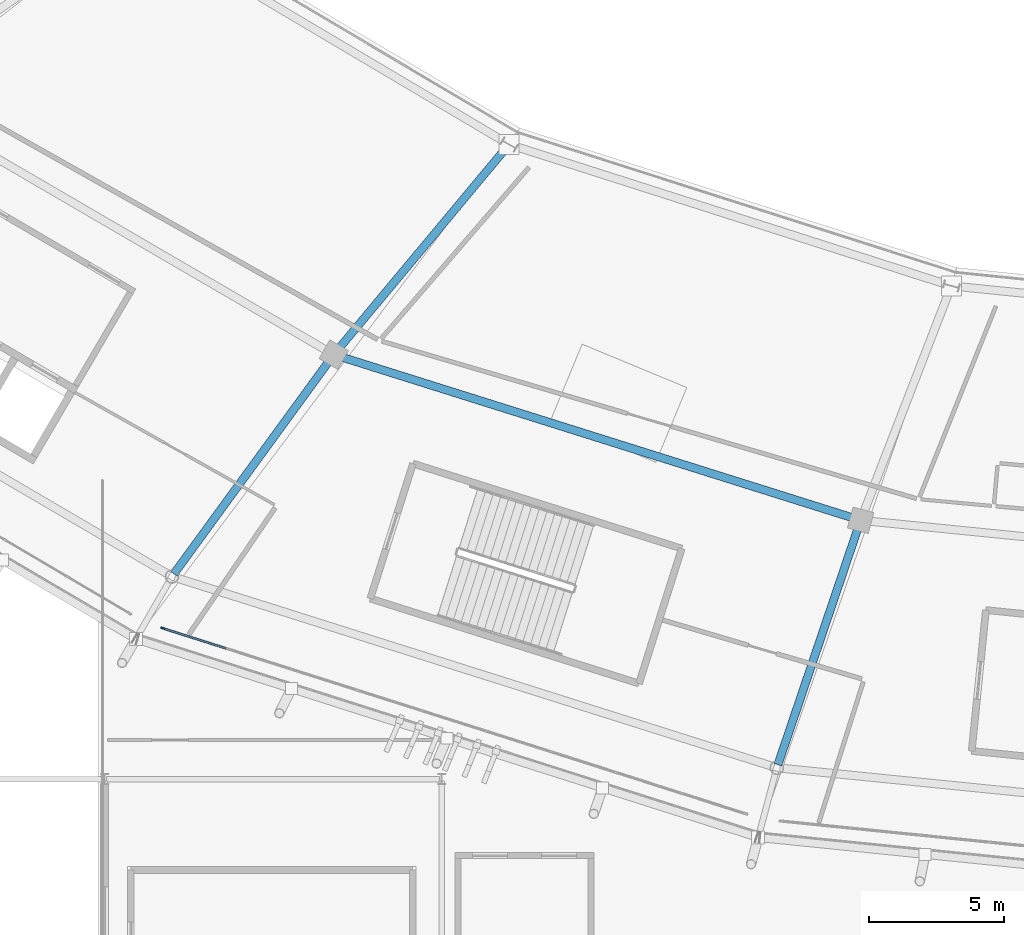
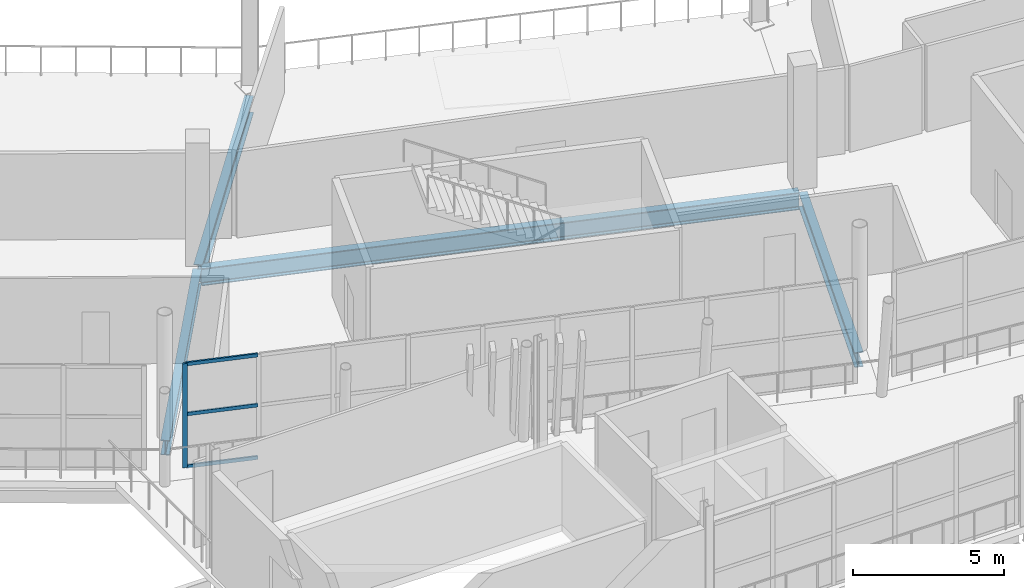
# One storey, part 34 of 179: 4 beams, 4 members, 1 element without a shape of its own.
"""IFC4 building model written with IfcOpenShell, lengths in metres."""

from ifc_helpers import new_model, si_unit, direction, frame, origin, origin_2d, place, context, subcontext, project, spatial, rectangle, i_section, extrude, material, material_profile, profile_set, type_object, element, aggregate, save


model = new_model("IFC4")

# Units and contexts
model_context = context("Model", 3, precision=1e-05, world=origin(), true_north=direction((0.0, 1.0)))
body_context = subcontext(model_context, "Body", "Model", "MODEL_VIEW")
ifc_project = project(units=[si_unit("LENGTHUNIT", "METRE"), si_unit("AREAUNIT", "SQUARE_METRE"), si_unit("VOLUMEUNIT", "CUBIC_METRE"), si_unit("PLANEANGLEUNIT", "RADIAN"), si_unit("MASSUNIT", "GRAM", prefix="KILO")], contexts=[model_context])

# Site, building, storey
site_placement = place(None, origin())
site = spatial("IfcSite", under=ifc_project, at=site_placement, CompositionType="ELEMENT")
building_placement = place(site_placement, origin())
building = spatial("IfcBuilding", under=site, at=building_placement, Name="Zlatoyarsky Gate Stadium", CompositionType="ELEMENT")
storey_placement = place(building_placement, frame((0.0, 0.0, 10.60009765625)))
storey = spatial("IfcBuildingStorey", under=building, at=storey_placement, Name="L02", CompositionType="ELEMENT", Elevation=10.60009765625)

# Curtain wall, members
ifc_material_1 = material(Name="Thermally broken anodised aluminium curtain wall", Category="aluminium")
curtain_wall_type = type_object("IfcCurtainWallType", Name="UNITISED HOSPITALITY GLAZING L02", PredefinedType="USERDEFINED", material=ifc_material_1)
curtain_wall_placement = place(storey_placement, origin())
curtain_wall = element("IfcCurtainWall", 1, at=curtain_wall_placement, inside=storey, type_object=curtain_wall_type, Name="Curtain wall CW-L02-16", ObjectType="UNITISED GLAZING", PredefinedType="USERDEFINED")
ifc_material_2 = material(Name="Anodised aluminium 6063-T6", Category="aluminium")
ifc_material_profile_1 = material_profile(ifc_material_2, rectangle(XDim=0.06494140625, YDim=0.159912109375, at=origin_2d()), Name="ALU 65X160")
ifc_profile_set_1 = profile_set([ifc_material_profile_1], Name="Anodised aluminium 6063-T6")
member_type_1 = type_object("IfcMemberType", Name="ALUMINIUM MULLION 65X160", PredefinedType="MULLION", material=ifc_profile_set_1)
member_1_placement = place(storey_placement, frame((64.162353515625, 16.593994140625, 0.0), z_axis=(0.0, 0.0, 1.0), x_axis=(0.303278080998, 0.952902096538, 0.0)))
member_1 = element("IfcMember", 2, at=member_1_placement, type_object=member_type_1, Name="CW-UG2 mullion 1", PredefinedType="MULLION", context=body_context, shape_type="SweptSolid", body=[
    extrude(rectangle(XDim=0.06494140625, YDim=0.159912109375, at=origin_2d()), origin(), (0.0, 0.0, 1.0), 4.199951171875),
])
ifc_material_profile_2 = material_profile(ifc_material_2, rectangle(XDim=0.06494140625, YDim=0.139892578125, at=origin_2d()), Name="ALU 65X140")
ifc_profile_set_2 = profile_set([ifc_material_profile_2], Name="Anodised aluminium 6063-T6")
member_type_2 = type_object("IfcMemberType", Name="ALUMINIUM TRANSOM 65X140", PredefinedType="USERDEFINED", material=ifc_profile_set_2)
member_2_placement = place(storey_placement, frame((64.193359375, 16.584228515625, 0.032470703125), z_axis=(0.952887493796, -0.303323959105, 0.0), x_axis=(0.303323959105, 0.952887493796, 0.0)))
member_2 = element("IfcMember", 3, at=member_2_placement, type_object=member_type_2, Name="CW-UG2 transom 1.1", ObjectType="TRANSOM", PredefinedType="USERDEFINED", context=body_context, shape_type="SweptSolid", body=[
    extrude(rectangle(XDim=0.06494140625, YDim=0.139892578125, at=origin_2d()), origin(), (0.0, 0.0, 1.0), 2.42919921875),
])
member_3_placement = place(storey_placement, frame((64.193359375, 16.584228515625, 2.14990234375), z_axis=(0.952887493796, -0.303323959105, 0.0), x_axis=(0.303323959105, 0.952887493796, 0.0)))
member_3 = element("IfcMember", 4, at=member_3_placement, type_object=member_type_2, Name="CW-UG2 transom 1.2", ObjectType="TRANSOM", PredefinedType="USERDEFINED", context=body_context, shape_type="SweptSolid", body=[
    extrude(rectangle(XDim=0.06494140625, YDim=0.139892578125, at=origin_2d()), origin(), (0.0, 0.0, 1.0), 2.42919921875),
])
member_4_placement = place(storey_placement, frame((64.193359375, 16.584228515625, 4.16748046875), z_axis=(0.952887493796, -0.303323959105, 0.0), x_axis=(0.303323959105, 0.952887493796, 0.0)))
member_4 = element("IfcMember", 5, at=member_4_placement, type_object=member_type_2, Name="CW-UG2 transom 1.3", ObjectType="TRANSOM", PredefinedType="USERDEFINED", context=body_context, shape_type="SweptSolid", body=[
    extrude(rectangle(XDim=0.06494140625, YDim=0.139892578125, at=origin_2d()), origin(), (0.0, 0.0, 1.0), 2.42919921875),
])
aggregate(curtain_wall, [member_1, member_2, member_3, member_4])

# Beams
ifc_material_3 = material(Name="Steel S355", Category="steel")
ifc_material_profile_3 = material_profile(ifc_material_3, i_section(OverallWidth=0.300048828125, OverallDepth=0.60009765625, WebThickness=0.015380859375, FlangeThickness=0.030029296875, FilletRadius=0.027099609375, at=origin_2d()), Name="HEB 600")
ifc_profile_set_3 = profile_set([ifc_material_profile_3], Name="Steel S355")
beam_type_1 = type_object("IfcBeamType", Name="STEEL PRIMARY GIRDER HEB 600", PredefinedType="BEAM", material=ifc_profile_set_3)
beam_1_placement = place(storey_placement, frame((70.42919921875, 26.642333984375, -0.580078125), z_axis=(-0.589228266457, -0.807966614415, 0.0), x_axis=(0.807966614415, -0.589228266457, 0.0)))
element("IfcBeam", 6, at=beam_1_placement, inside=storey, type_object=beam_type_1, Name="Beam G-HEB600 BM-L02-RBC-16", PredefinedType="BEAM", context=body_context, shape_type="SweptSolid", body=[
    extrude(i_section(OverallWidth=0.300048828125, OverallDepth=0.60009765625, WebThickness=0.015380859375, FlangeThickness=0.030029296875, FilletRadius=0.027099609375, at=origin_2d()), origin(), (0.0, 0.0, 1.0), 9.9423828125),
])
beam_2_placement = place(storey_placement, frame((89.997314453125, 20.48193359375, -0.580078125), z_axis=(-0.320612225581, -0.947210536686, 0.0), x_axis=(0.947210536686, -0.320612225581, 0.0)))
element("IfcBeam", 7, at=beam_2_placement, inside=storey, type_object=beam_type_1, Name="Beam G-HEB600 BM-L02-RBC-17", PredefinedType="BEAM", context=body_context, shape_type="SweptSolid", body=[
    extrude(i_section(OverallWidth=0.300048828125, OverallDepth=0.60009765625, WebThickness=0.015380859375, FlangeThickness=0.030029296875, FilletRadius=0.027099609375, at=origin_2d()), origin(), (0.0, 0.0, 1.0), 9.44775390625),
])
ifc_material_profile_4 = material_profile(ifc_material_3, i_section(OverallWidth=0.300048828125, OverallDepth=0.699951171875, WebThickness=0.01708984375, FlangeThickness=0.031982421875, FilletRadius=0.027099609375, at=origin_2d()), Name="HEB 700")
ifc_profile_set_4 = profile_set([ifc_material_profile_4], Name="Steel S355")
beam_type_2 = type_object("IfcBeamType", Name="STEEL PRIMARY GIRDER HEB 700", PredefinedType="BEAM", material=ifc_profile_set_4)
beam_3_placement = place(storey_placement, frame((76.923095703125, 34.44140625, -0.630126953125), z_axis=(-0.640460635814, -0.767990998627, 0.0), x_axis=(0.767990998627, -0.640460635814, 0.0)))
element("IfcBeam", 8, at=beam_3_placement, inside=storey, type_object=beam_type_2, Name="Beam G-HEB700 BM-L02-RAB-16", PredefinedType="BEAM", context=body_context, shape_type="SweptSolid", body=[
    extrude(i_section(OverallWidth=0.300048828125, OverallDepth=0.699951171875, WebThickness=0.01708984375, FlangeThickness=0.031982421875, FilletRadius=0.027099609375, at=origin_2d()), origin(), (0.0, 0.0, 1.0), 9.90869140625),
])
beam_4_placement = place(storey_placement, frame((70.614501953125, 26.703369140625, -0.630126953125), z_axis=(0.953937507984, -0.300005384719, 0.0), x_axis=(0.300005384719, 0.953937507984, 0.0)))
element("IfcBeam", 9, at=beam_4_placement, inside=storey, type_object=beam_type_2, Name="Beam G-HEB700 BM-L02-CRB-16", PredefinedType="BEAM", context=body_context, shape_type="SweptSolid", body=[
    extrude(i_section(OverallWidth=0.300048828125, OverallDepth=0.699951171875, WebThickness=0.01708984375, FlangeThickness=0.031982421875, FilletRadius=0.027099609375, at=origin_2d()), origin(), (0.0, 0.0, 1.0), 20.239013671875),
])

save(model, "model.ifc")
